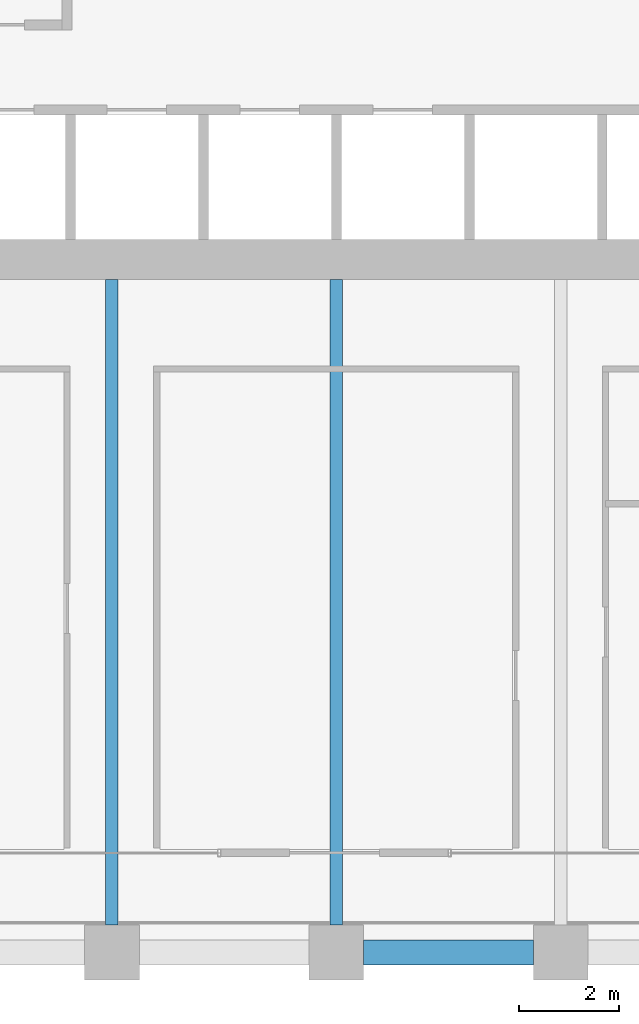
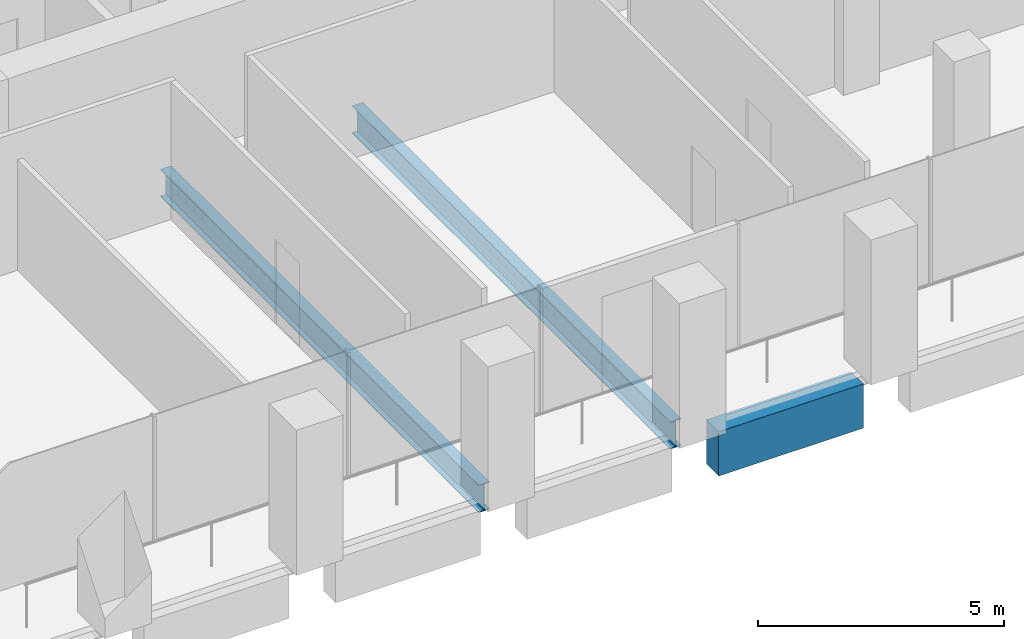
# One storey, part 8 of 56: 3 beams.
"""IFC4 building model written with IfcOpenShell, lengths in metres."""

from ifc_helpers import new_model, si_unit, direction, frame, origin, origin_2d, place, context, subcontext, project, spatial, rectangle, i_section, extrude, material, material_profile, profile_set, type_object, element, save


model = new_model("IFC4")

# Units and contexts
model_context = context("Model", 3, precision=1e-05, world=origin(), true_north=direction((0.0, 1.0)))
body_context = subcontext(model_context, "Body", "Model", "MODEL_VIEW")
ifc_project = project(units=[si_unit("LENGTHUNIT", "METRE"), si_unit("AREAUNIT", "SQUARE_METRE"), si_unit("VOLUMEUNIT", "CUBIC_METRE"), si_unit("PLANEANGLEUNIT", "RADIAN"), si_unit("MASSUNIT", "GRAM", prefix="KILO")], contexts=[model_context])

# Site, building, storey
site_placement = place(None, origin())
site = spatial("IfcSite", under=ifc_project, at=site_placement, CompositionType="ELEMENT")
building_placement = place(site_placement, origin())
building = spatial("IfcBuilding", under=site, at=building_placement, Name="Altepetl Exchange Towers", CompositionType="ELEMENT")
storey_placement = place(building_placement, frame((0.0, 0.0, 76.199951171875)))
storey = spatial("IfcBuildingStorey", under=building, at=storey_placement, Name="L18", CompositionType="ELEMENT", Elevation=76.199951171875)

# Beams
ifc_material_1 = material(Name="Steel S355", Category="steel")
ifc_material_profile_1 = material_profile(ifc_material_1, i_section(OverallWidth=0.25390625, OverallDepth=0.68408203125, WebThickness=0.012451171875, FlangeThickness=0.018798828125, at=origin_2d()), Name="W27X94")
ifc_profile_set_1 = profile_set([ifc_material_profile_1], Name="Steel S355")
beam_type_1 = type_object("IfcBeamType", Name="Floor beam W27X94", PredefinedType="BEAM", material=ifc_profile_set_1)
for number, where, z_axis, x_axis, name in (
    (1, (45.0, 27.550048828125, -0.491943359375), (0.0, 1.0, 0.0), (-1.0, 0.0, 0.0), "bm:A:L18:015"),
    (2, (49.5, 27.550048828125, -0.491943359375), (0.0, 1.0, 0.0), (-1.0, 0.0, 0.0), "bm:A:L18:016"),
):
    element("IfcBeam", number, at=place(storey_placement, frame(where, z_axis=z_axis, x_axis=x_axis)), inside=storey, type_object=beam_type_1, Name=name, PredefinedType="BEAM", context=body_context, shape_type="SweptSolid", body=[
        extrude(i_section(OverallWidth=0.25390625, OverallDepth=0.68408203125, WebThickness=0.012451171875, FlangeThickness=0.018798828125, at=origin_2d()), origin(), (0.0, 0.0, 1.0), 12.949951171875),
    ])
ifc_material_2 = material(Name="Concrete C50/60 precast with cantera blanca facing", Category="concrete")
ifc_material_profile_2 = material_profile(ifc_material_2, rectangle(XDim=0.5, YDim=1.10009765625, at=origin_2d()), Name="500 x 1100")
ifc_profile_set_2 = profile_set([ifc_material_profile_2], Name="Concrete C50/60 precast with cantera blanca facing")
beam_type_2 = type_object("IfcBeamType", Name="Spandrel beam 500x1100 cantera blanca", PredefinedType="SPANDREL", material=ifc_profile_set_2)
beam_placement = place(storey_placement, frame((50.050048828125, 27.0, -0.699951171875), z_axis=(1.0, 0.0, 0.0), x_axis=(0.0, 1.0, 0.0)))
element("IfcBeam", 3, at=beam_placement, inside=storey, type_object=beam_type_2, Name="sp:A:L18:004", PredefinedType="SPANDREL", context=body_context, shape_type="SweptSolid", body=[
    extrude(rectangle(XDim=0.5, YDim=1.10009765625, at=origin_2d()), origin(), (0.0, 0.0, 1.0), 3.39990234375),
])

save(model, "model.ifc")
